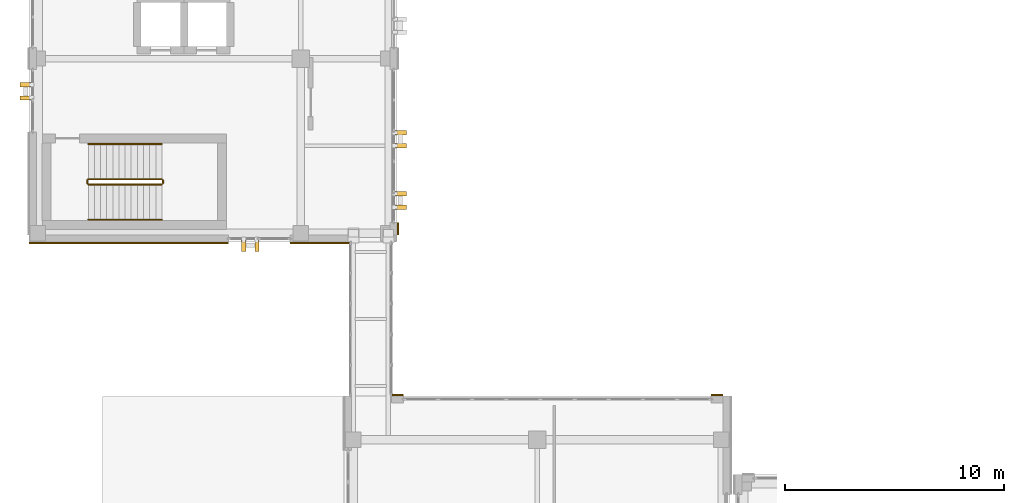
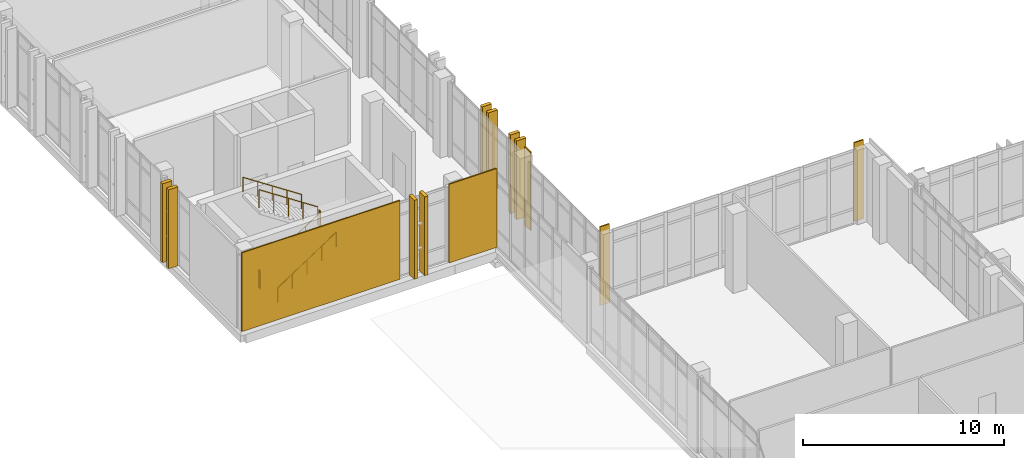
# One storey, part 172 of 189: 13 coverings, 6 railings.
"""IFC4 building model written with IfcOpenShell, lengths in metres."""

import ifcopenshell
import ifcopenshell.guid

model = None  # the IFC model being written
_history = None  # IfcOwnerHistory: only IFC2X3 demands one
_inside = {}  # id of a spatial element -> (the spatial element, [elements in it])
_under = {}  # id of a project, library or spatial element -> (it, [spatial elements below it])
_declared = {}  # id of a project -> (the project, [libraries it declares])
_typed = {}  # id of a type object -> (the type object, [elements of that type])
_made_of = {}  # id of a material, layer set ... -> (it, [elements and type objects made of it])


def new_model(schema):
    """Start an empty IFC model of exactly this schema.

    Asked for "IFC4X3", IfcOpenShell would pick the latest addendum, in which some entities
    have other attributes; the version numbers below select the first issue.
    IFC2X3 requires an IfcOwnerHistory on every rooted entity: one is made here for all.
    """
    global model, _history
    if schema == "IFC4X3":
        model = ifcopenshell.file(schema_version=(4, 3, 0, 0))
    else:
        model = ifcopenshell.file(schema=schema)
    _inside.clear()
    _under.clear()
    _declared.clear()
    _typed.clear()
    _made_of.clear()
    _history = None
    if model.schema == "IFC2X3":
        org = make("IfcOrganization", Name="unknown")
        user = make(
            "IfcPersonAndOrganization",
            ThePerson=make("IfcPerson", FamilyName="unknown"),
            TheOrganization=org,
        )
        app = make(
            "IfcApplication",
            ApplicationDeveloper=org,
            Version="unknown",
            ApplicationFullName="unknown",
            ApplicationIdentifier="unknown",
        )
        _history = make(
            "IfcOwnerHistory",
            OwningUser=user,
            OwningApplication=app,
            ChangeAction="ADDED",
            CreationDate=0,
        )
    return model


def make(cls, **values):
    """One entity of the class cls with the attributes given. An attribute that is None is left unset."""
    return model.create_entity(
        cls, **{name: value for name, value in values.items() if value is not None}
    )


def rooted(cls, **values):
    """An entity with a GlobalId (a new one), such as an element, a storey or a relation."""
    return make(cls, GlobalId=ifcopenshell.guid.new(), OwnerHistory=_history, **values)


def si_unit(unit_type, name, prefix=None):
    """IfcSIUnit, for example si_unit("LENGTHUNIT", "METRE", prefix="MILLI")."""
    return make("IfcSIUnit", UnitType=unit_type, Prefix=prefix, Name=name)


def assignment(units):
    """IfcUnitAssignment: the units of a project."""
    return None if units is None else make("IfcUnitAssignment", Units=units)


def point(xyz):
    """IfcCartesianPoint."""
    return None if xyz is None else make("IfcCartesianPoint", Coordinates=xyz)


def direction(xyz):
    """IfcDirection."""
    return None if xyz is None else make("IfcDirection", DirectionRatios=xyz)


def frame(location, z_axis=None, x_axis=None):
    """IfcAxis2Placement3D, a coordinate frame: its origin and axes. An axis left out is left unset."""
    return make(
        "IfcAxis2Placement3D",
        Location=point(location),
        Axis=direction(z_axis),
        RefDirection=direction(x_axis),
    )


def frame_2d(location, x_axis=None):
    """IfcAxis2Placement2D, a coordinate frame in the plane: its origin and x axis."""
    return make(
        "IfcAxis2Placement2D", Location=point(location), RefDirection=direction(x_axis)
    )


def origin():
    """The frame at (0, 0, 0) with its axes left unset."""
    return frame((0.0, 0.0, 0.0))


def origin_2d():
    """The frame at (0, 0) in the plane with its x axis left unset."""
    return frame_2d((0.0, 0.0))


def place(relative_to, where):
    """IfcLocalPlacement: puts the frame where relative to a parent placement (None: the world)."""
    return make(
        "IfcLocalPlacement", PlacementRelTo=relative_to, RelativePlacement=where
    )


def context(
    kind, dimensions, precision=None, world=None, true_north=None, identifier=None
):
    """IfcGeometricRepresentationContext, for example the 3D "Model" context."""
    return make(
        "IfcGeometricRepresentationContext",
        ContextIdentifier=identifier,
        ContextType=kind,
        CoordinateSpaceDimension=dimensions,
        Precision=precision,
        WorldCoordinateSystem=world,
        TrueNorth=true_north,
    )


def subcontext(parent, identifier, kind, view, scale=None):
    """IfcGeometricRepresentationSubContext, for example "Body" below "Model"."""
    return make(
        "IfcGeometricRepresentationSubContext",
        ContextIdentifier=identifier,
        ContextType=kind,
        ParentContext=parent,
        TargetScale=scale,
        TargetView=view,
    )


def project(units=None, contexts=None):
    """IfcProject with its units and contexts."""
    return rooted(
        "IfcProject",
        Name="project",
        RepresentationContexts=contexts,
        UnitsInContext=assignment(units),
    )


def spatial(cls, under=None, at=None, **own):
    """A site, building, storey or space (cls), placed at a placement, below another one or the project."""
    s = rooted(cls, ObjectPlacement=at, **own)
    if under is not None:
        _under.setdefault(under.id(), (under, []))[1].append(s)
    return s


def profile(cls, at=None, kind="AREA", **sizes):
    """A parametric profile (cls). Its sizes go by their IFC names, for example OverallWidth=200.0."""
    return make(cls, ProfileType=kind, Position=at, **sizes)


def rectangle(**sizes):
    """IfcRectangleProfileDef."""
    return profile("IfcRectangleProfileDef", **sizes)


def circle(**sizes):
    """IfcCircleProfileDef."""
    return profile("IfcCircleProfileDef", **sizes)


def extrude(swept, where, along, depth):
    """IfcExtrudedAreaSolid: the profile swept, set in the frame where, extruded along a direction by depth."""
    return make(
        "IfcExtrudedAreaSolid",
        SweptArea=swept,
        Position=where,
        ExtrudedDirection=direction(along),
        Depth=depth,
    )


def shape(context_of_items, identifier, shape_type, items):
    """IfcShapeRepresentation: the items that make up one representation, for example the "Body"."""
    return make(
        "IfcShapeRepresentation",
        ContextOfItems=context_of_items,
        RepresentationIdentifier=identifier,
        RepresentationType=shape_type,
        Items=items,
    )


def material(Name=None, Category=None):
    """IfcMaterial."""
    return make("IfcMaterial", Name=Name, Category=Category)


def layer(
    of_material, thickness, ventilated=None, Name=None, Category=None, Priority=None
):
    """IfcMaterialLayer: one layer of a wall or slab, of a material (None: an air gap)."""
    return make(
        "IfcMaterialLayer",
        Material=of_material,
        LayerThickness=thickness,
        IsVentilated=ventilated,
        Name=Name,
        Category=Category,
        Priority=Priority,
    )


def layer_set(layers, Name=None):
    """IfcMaterialLayerSet."""
    return make("IfcMaterialLayerSet", MaterialLayers=layers, LayerSetName=Name)


def made_of(thing, what):
    """Note that an element or type object is made of a material, layer set ...; save() writes the relation."""
    if what is not None:
        _made_of.setdefault(what.id(), (what, []))[1].append(thing)
    return thing


def type_object(cls, material=None, **own):
    """A type object (cls), such as IfcWallType, which elements share."""
    return made_of(rooted(cls, **own), material)


def element(
    cls,
    number,
    at=None,
    inside=None,
    cuts=None,
    type_object=None,
    material=None,
    context=None,
    identifier="Body",
    shape_type=None,
    held_by="IfcProductDefinitionShape",
    body=None,
    shapes=None,
    **own,
):
    """One element of the class cls, such as IfcWall. Its Tag is "e" and its number.

    at: its placement. inside: the storey or other place that contains it. cuts: it is an
    opening in that element (IfcRelVoidsElement). A single representation is given by context,
    identifier, shape_type and body (its items); several are given by shapes. held_by: the class
    of the entity that holds the representations. save() writes the other relations.
    """
    e = rooted(cls, Tag="e%d" % number, ObjectPlacement=at, **own)
    if body is not None:
        shapes = [shape(context, identifier, shape_type, body)]
    if shapes is not None:
        e.Representation = make(held_by, Representations=shapes)
    if inside is not None:
        _inside.setdefault(inside.id(), (inside, []))[1].append(e)
    if cuts is not None:
        rooted(
            "IfcRelVoidsElement", RelatingBuildingElement=cuts, RelatedOpeningElement=e
        )
    if type_object is not None:
        _typed.setdefault(type_object.id(), (type_object, []))[1].append(e)
    return made_of(e, material)


def aggregate(whole, parts):
    """IfcRelAggregates: a whole, such as a stair, and the parts it consists of."""
    return rooted("IfcRelAggregates", RelatingObject=whole, RelatedObjects=parts)


def save(model, path):
    """Write the relations noted so far, then the file.

    IfcRelAggregates (storeys below a building ...), IfcRelContainedInSpatialStructure (elements
    in a storey), IfcRelDefinesByType, IfcRelAssociatesMaterial and IfcRelDeclares: one each for
    every whole, place, type object, material and project.
    """
    for whole, parts in _under.values():
        aggregate(whole, parts)
    for where, things in _inside.values():
        rooted(
            "IfcRelContainedInSpatialStructure",
            RelatedElements=things,
            RelatingStructure=where,
        )
    for kind, things in _typed.values():
        rooted("IfcRelDefinesByType", RelatedObjects=things, RelatingType=kind)
    for what, things in _made_of.values():
        rooted("IfcRelAssociatesMaterial", RelatedObjects=things, RelatingMaterial=what)
    for by, libraries in _declared.values():
        rooted("IfcRelDeclares", RelatingContext=by, RelatedDefinitions=libraries)
    model.write(path)


model = new_model("IFC4")

# Units and contexts
model_context = context("Model", 3, precision=1e-05, world=origin(), true_north=direction((0.0, 1.0)))
body_context = subcontext(model_context, "Body", "Model", "MODEL_VIEW")
ifc_project = project(units=[si_unit("LENGTHUNIT", "METRE"), si_unit("AREAUNIT", "SQUARE_METRE"), si_unit("VOLUMEUNIT", "CUBIC_METRE"), si_unit("PLANEANGLEUNIT", "RADIAN"), si_unit("MASSUNIT", "GRAM", prefix="KILO")], contexts=[model_context])

# Site, building, storey
site_placement = place(None, origin())
site = spatial("IfcSite", under=ifc_project, at=site_placement, CompositionType="ELEMENT")
building_placement = place(site_placement, origin())
building = spatial("IfcBuilding", under=site, at=building_placement, Name="Qalavern Law Courts", CompositionType="ELEMENT")
storey_placement = place(building_placement, frame((0.0, 0.0, 5.39990234375)))
storey = spatial("IfcBuildingStorey", under=building, at=storey_placement, Name="L01", CompositionType="ELEMENT", Elevation=5.39990234375)

# Coverings
ifc_material_1 = material(Name="Precast concrete C40/50", Category="concrete")
ifc_layer_1 = layer(ifc_material_1, 0.199951171875)
ifc_layer_set_1 = layer_set([ifc_layer_1], Name="Precast concrete C40/50")
covering_type_1 = type_object("IfcCoveringType", Name="ENV-BLD-1", PredefinedType="CLADDING", material=ifc_layer_set_1)
for number, where, z_axis, x_axis, name in (
    (1, (11.800048828125, 40.87255859375, 0.005126953125), (0.0, 0.0, 1.0), (0.0, -1.0, 0.0), "Absheron stone facade blade 0195"),
    (2, (12.39990234375, 40.87255859375, 0.005126953125), (0.0, 0.0, 1.0), (0.0, -1.0, 0.0), "Absheron stone facade blade 0196"),
    (3, (18.947509765625, 42.6201171875, 0.005126953125), (0.0, 0.0, 1.0), (1.0, 0.0, 0.0), "Absheron stone facade blade 0197"),
    (4, (18.947509765625, 43.219970703125, 0.005126953125), (0.0, 0.0, 1.0), (1.0, 0.0, 0.0), "Absheron stone facade blade 0198"),
    (5, (18.947509765625, 45.419921875, 0.005126953125), (0.0, 0.0, 1.0), (1.0, 0.0, 0.0), "Absheron stone facade blade 0199"),
    (6, (18.947509765625, 46.02001953125, 0.005126953125), (0.0, 0.0, 1.0), (1.0, 0.0, 0.0), "Absheron stone facade blade 0200"),
    (7, (1.8525390625, 48.199951171875, 0.005126953125), (0.0, 0.0, 1.0), (-1.0, 0.0, 0.0), "Absheron stone facade blade 0245"),
    (8, (1.8525390625, 47.60009765625, 0.005126953125), (0.0, 0.0, 1.0), (-1.0, 0.0, 0.0), "Absheron stone facade blade 0246"),
):
    element("IfcCovering", number, at=place(storey_placement, frame(where, z_axis=z_axis, x_axis=x_axis)), inside=storey, type_object=covering_type_1, Name=name, PredefinedType="CLADDING", context=body_context, shape_type="SweptSolid", body=[
        extrude(rectangle(XDim=0.5400390625, YDim=0.199951171875, at=origin_2d()), origin(), (0.0, 0.0, 1.0), 4.7900390625),
    ])
ifc_layer_2 = layer(ifc_material_1, 0.072021484375)
ifc_layer_set_2 = layer_set([ifc_layer_2], Name="Precast concrete C40/50")
covering_type_2 = type_object("IfcCoveringType", Name="ENV-CLD-2", PredefinedType="CLADDING", material=ifc_layer_set_2)
for number, where, z_axis, x_axis, name in (
    (9, (33.405029296875, 34.032958984375, 0.01025390625), (0.0, 0.0, 1.0), (-1.0, 0.0, 0.0), "V1 Absheron limestone pier facing L01 north 1"),
    (10, (18.824951171875, 34.032958984375, 0.01025390625), (0.0, 0.0, 1.0), (-1.0, 0.0, 0.0), "V1 Absheron limestone pier facing L01 north 2"),
):
    element("IfcCovering", number, at=place(storey_placement, frame(where, z_axis=z_axis, x_axis=x_axis)), inside=storey, type_object=covering_type_2, Name=name, PredefinedType="CLADDING", context=body_context, shape_type="SweptSolid", body=[
        extrude(rectangle(XDim=0.530029296875, YDim=0.072021484375, at=origin_2d()), origin(), (0.0, 0.0, 1.0), 4.780029296875),
    ])
covering_1_placement = place(storey_placement, frame((6.550048828125, 40.987060546875, 0.01025390625), z_axis=(0.0, 0.0, 1.0), x_axis=(1.0, 0.0, 0.0)))
element("IfcCovering", 11, at=covering_1_placement, inside=storey, type_object=covering_type_2, Name="V3 Absheron limestone pier facing L01 south 1", PredefinedType="CLADDING", context=body_context, shape_type="SweptSolid", body=[
    extrude(rectangle(XDim=9.080078125, YDim=0.072021484375, at=origin_2d()), origin(), (0.0, 0.0, 1.0), 4.780029296875),
])
covering_2_placement = place(storey_placement, frame((15.27490234375, 40.987060546875, 0.01025390625), z_axis=(0.0, 0.0, 1.0), x_axis=(1.0, 0.0, 0.0)))
element("IfcCovering", 12, at=covering_2_placement, inside=storey, type_object=covering_type_2, Name="V3 Absheron limestone pier facing L01 south 2", PredefinedType="CLADDING", context=body_context, shape_type="SweptSolid", body=[
    extrude(rectangle(XDim=2.72998046875, YDim=0.072021484375, at=origin_2d()), origin(), (0.0, 0.0, 1.0), 4.780029296875),
])
covering_3_placement = place(storey_placement, frame((18.8330078125, 41.6298828125, 0.01025390625), z_axis=(0.0, 0.0, 1.0), x_axis=(0.0, 1.0, 0.0)))
element("IfcCovering", 13, at=covering_3_placement, inside=storey, type_object=covering_type_2, Name="V3 Absheron limestone pier facing L01 east 1", PredefinedType="CLADDING", context=body_context, shape_type="SweptSolid", body=[
    extrude(rectangle(XDim=0.56005859375, YDim=0.072021484375, at=origin_2d()), origin(), (0.0, 0.0, 1.0), 4.780029296875),
])

# Railings
ifc_material_2 = material(Name="Steel S355", Category="steel")
railing_type_1 = type_object("IfcRailingType", Name="INT-GUARD-1120", PredefinedType="BALUSTRADE", material=ifc_material_2)
railing_1_placement = place(storey_placement, frame((4.699951171875, 43.64990234375, 0.184814453125)))
element("IfcRailing", 14, at=railing_1_placement, inside=storey, type_object=railing_type_1, Name="L01 ST-K2 stair guard 1", PredefinedType="BALUSTRADE", context=body_context, shape_type="SweptSolid", body=[
    extrude(circle(Radius=0.02392578125, at=origin_2d()), frame((0.0, 0.0, 1.09619140625), z_axis=(0.834876476806, 0.0, 0.550437342915), x_axis=(0.0, 1.0, 0.0)), (0.0, 0.0, 1.0), 4.024658203125),
    extrude(circle(Radius=0.02099609375, at=origin_2d()), origin(), (0.0, 0.0, 1.0), 1.072021484375),
    extrude(circle(Radius=0.02099609375, at=origin_2d()), frame((0.840087890625, 0.0, 0.5537109375)), (0.0, 0.0, 1.0), 1.072021484375),
    extrude(circle(Radius=0.02099609375, at=origin_2d()), frame((1.68017578125, 0.0, 1.107666015625)), (0.0, 0.0, 1.0), 1.072021484375),
    extrude(circle(Radius=0.02099609375, at=origin_2d()), frame((2.52001953125, 0.0, 1.66162109375)), (0.0, 0.0, 1.0), 1.072021484375),
    extrude(circle(Radius=0.02099609375, at=origin_2d()), frame((3.360107421875, 0.0, 2.21533203125)), (0.0, 0.0, 1.0), 1.072021484375),
])
railing_2_placement = place(storey_placement, frame((8.110107421875, 43.699951171875, 2.400146484375)))
element("IfcRailing", 15, at=railing_2_placement, inside=storey, type_object=railing_type_1, Name="L01 ST-K2 stair guard 2", PredefinedType="BALUSTRADE", context=body_context, shape_type="SweptSolid", body=[
    extrude(circle(Radius=0.02392578125, at=origin_2d()), frame((0.0, 0.0, 1.09619140625), z_axis=(0.0, 1.0, 0.0), x_axis=(-1.0, 0.0, 0.0)), (0.0, 0.0, 1.0), 0.150146484375),
    extrude(circle(Radius=0.02099609375, at=origin_2d()), origin(), (0.0, 0.0, 1.0), 1.072021484375),
    extrude(circle(Radius=0.02099609375, at=origin_2d()), frame((0.0, 0.150146484375, 0.0)), (0.0, 0.0, 1.0), 1.072021484375),
])
railing_3_placement = place(storey_placement, frame((8.06005859375, 43.89990234375, 2.584716796875)))
element("IfcRailing", 16, at=railing_3_placement, inside=storey, type_object=railing_type_1, Name="L01 ST-K2 stair guard 3", PredefinedType="BALUSTRADE", context=body_context, shape_type="SweptSolid", body=[
    extrude(circle(Radius=0.02392578125, at=origin_2d()), frame((0.0, 0.0, 1.09619140625), z_axis=(-0.834876476806, 0.0, 0.550437342915), x_axis=(0.0, -1.0, 0.0)), (0.0, 0.0, 1.0), 4.024658203125),
    extrude(circle(Radius=0.02099609375, at=origin_2d()), origin(), (0.0, 0.0, 1.0), 1.072021484375),
    extrude(circle(Radius=0.02099609375, at=origin_2d()), frame((-0.840087890625, 0.0, 0.5537109375)), (0.0, 0.0, 1.0), 1.072021484375),
    extrude(circle(Radius=0.02099609375, at=origin_2d()), frame((-1.68017578125, 0.0, 1.107666015625)), (0.0, 0.0, 1.0), 1.072021484375),
    extrude(circle(Radius=0.02099609375, at=origin_2d()), frame((-2.52001953125, 0.0, 1.66162109375)), (0.0, 0.0, 1.0), 1.072021484375),
    extrude(circle(Radius=0.02099609375, at=origin_2d()), frame((-3.360107421875, 0.0, 2.21533203125)), (0.0, 0.0, 1.0), 1.072021484375),
])
railing_4_placement = place(storey_placement, frame((4.64990234375, 43.699951171875, 0.0)))
element("IfcRailing", 17, at=railing_4_placement, inside=storey, type_object=railing_type_1, Name="L01 ST-K2 stair guard 4", PredefinedType="BALUSTRADE", context=body_context, shape_type="SweptSolid", body=[
    extrude(circle(Radius=0.02392578125, at=origin_2d()), frame((0.0, 0.0, 1.09619140625), z_axis=(0.0, 1.0, 0.0), x_axis=(-1.0, 0.0, 0.0)), (0.0, 0.0, 1.0), 0.150146484375),
    extrude(circle(Radius=0.02099609375, at=origin_2d()), origin(), (0.0, 0.0, 1.0), 1.072021484375),
    extrude(circle(Radius=0.02099609375, at=origin_2d()), frame((0.0, 0.150146484375, 0.0)), (0.0, 0.0, 1.0), 1.072021484375),
])
railing_type_2 = type_object("IfcRailingType", Name="INT-HRAIL-920", PredefinedType="HANDRAIL", material=ifc_material_2)
railing_5_placement = place(storey_placement, frame((4.699951171875, 42.050048828125, 0.184814453125)))
element("IfcRailing", 18, at=railing_5_placement, inside=storey, type_object=railing_type_2, Name="L01 ST-K2 stair handrail 1", PredefinedType="HANDRAIL", context=body_context, shape_type="SweptSolid", body=[
    extrude(circle(Radius=0.02392578125, at=origin_2d()), frame((0.0, 0.0, 0.8759765625), z_axis=(0.834876476806, 0.0, 0.550437342915), x_axis=(0.0, 1.0, 0.0)), (0.0, 0.0, 1.0), 4.024658203125),
    extrude(circle(Radius=0.02099609375, at=origin_2d()), origin(), (0.0, 0.0, 1.0), 0.851806640625),
    extrude(circle(Radius=0.02099609375, at=origin_2d()), frame((0.840087890625, 0.0, 0.5537109375)), (0.0, 0.0, 1.0), 0.851806640625),
    extrude(circle(Radius=0.02099609375, at=origin_2d()), frame((1.68017578125, 0.0, 1.107666015625)), (0.0, 0.0, 1.0), 0.851806640625),
    extrude(circle(Radius=0.02099609375, at=origin_2d()), frame((2.52001953125, 0.0, 1.66162109375)), (0.0, 0.0, 1.0), 0.851806640625),
    extrude(circle(Radius=0.02099609375, at=origin_2d()), frame((3.360107421875, 0.0, 2.21533203125)), (0.0, 0.0, 1.0), 0.851806640625),
])
railing_6_placement = place(storey_placement, frame((8.06005859375, 45.5, 2.584716796875)))
element("IfcRailing", 19, at=railing_6_placement, inside=storey, type_object=railing_type_2, Name="L01 ST-K2 stair handrail 2", PredefinedType="HANDRAIL", context=body_context, shape_type="SweptSolid", body=[
    extrude(circle(Radius=0.02392578125, at=origin_2d()), frame((0.0, 0.0, 0.8759765625), z_axis=(-0.834876476806, 0.0, 0.550437342915), x_axis=(0.0, -1.0, 0.0)), (0.0, 0.0, 1.0), 4.024658203125),
    extrude(circle(Radius=0.02099609375, at=origin_2d()), origin(), (0.0, 0.0, 1.0), 0.851806640625),
    extrude(circle(Radius=0.02099609375, at=origin_2d()), frame((-0.840087890625, 0.0, 0.5537109375)), (0.0, 0.0, 1.0), 0.851806640625),
    extrude(circle(Radius=0.02099609375, at=origin_2d()), frame((-1.68017578125, 0.0, 1.107666015625)), (0.0, 0.0, 1.0), 0.851806640625),
    extrude(circle(Radius=0.02099609375, at=origin_2d()), frame((-2.52001953125, 0.0, 1.66162109375)), (0.0, 0.0, 1.0), 0.851806640625),
    extrude(circle(Radius=0.02099609375, at=origin_2d()), frame((-3.360107421875, 0.0, 2.21533203125)), (0.0, 0.0, 1.0), 0.851806640625),
])

save(model, "model.ifc")
